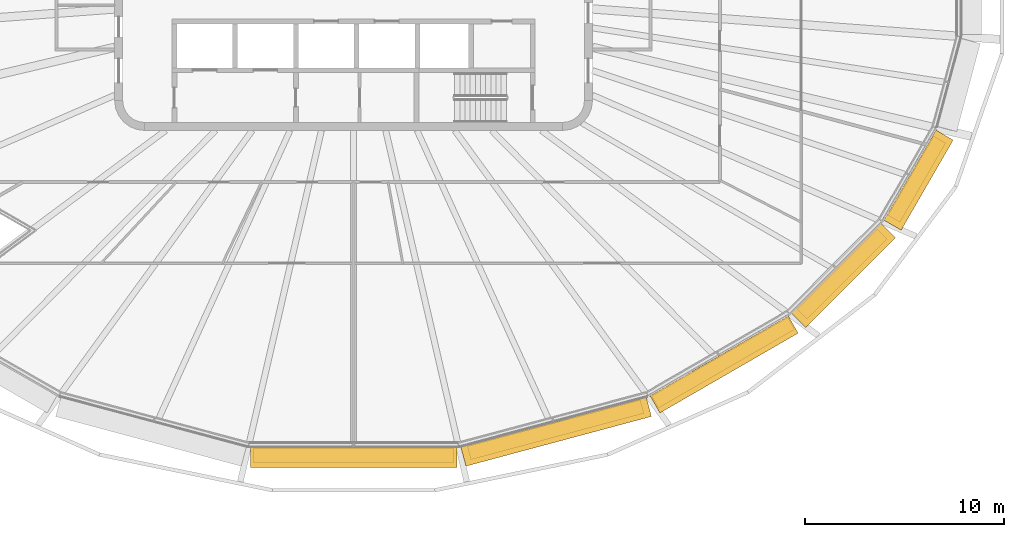
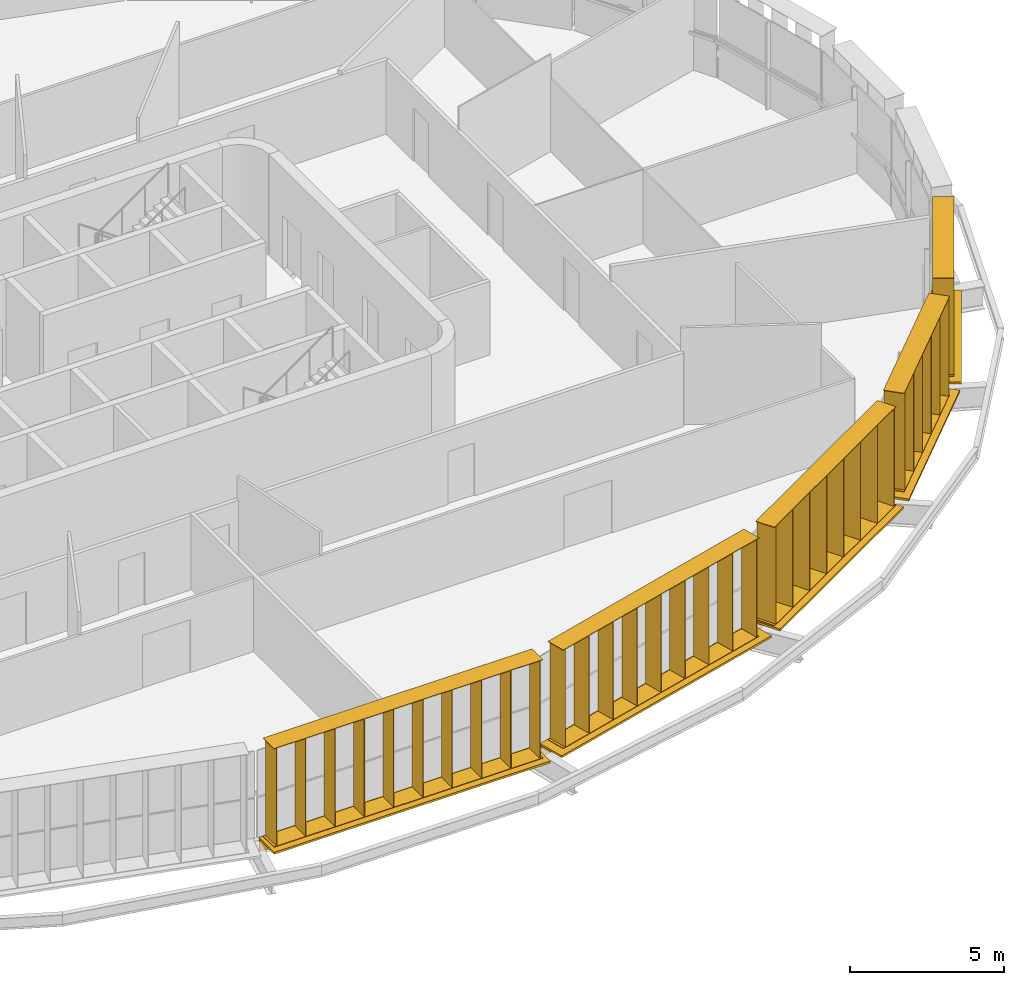
# One storey, part 18 of 20: 10 shading devices.
"""IFC4 building model written with IfcOpenShell, lengths in metres."""

from ifc_helpers import new_model, si_unit, direction, frame, origin, origin_2d, place, context, subcontext, project, spatial, rectangle, extrude, material, type_object, element, save


model = new_model("IFC4")

# Units and contexts
model_context = context("Model", 3, precision=1e-05, world=origin(), true_north=direction((0.0, 1.0)))
body_context = subcontext(model_context, "Body", "Model", "MODEL_VIEW")
ifc_project = project(units=[si_unit("LENGTHUNIT", "METRE"), si_unit("AREAUNIT", "SQUARE_METRE"), si_unit("VOLUMEUNIT", "CUBIC_METRE"), si_unit("PLANEANGLEUNIT", "RADIAN"), si_unit("MASSUNIT", "GRAM", prefix="KILO")], contexts=[model_context])

# Site, building, storey
site_placement = place(None, origin())
site = spatial("IfcSite", under=ifc_project, at=site_placement, CompositionType="ELEMENT")
building_placement = place(site_placement, origin())
building = spatial("IfcBuilding", under=site, at=building_placement, Name="Sahrelin Media Tower", CompositionType="ELEMENT")
storey_placement = place(building_placement, frame((0.0, 0.0, 225.60009765625)))
storey = spatial("IfcBuildingStorey", under=building, at=storey_placement, Name="L48", CompositionType="ELEMENT", Elevation=225.60009765625)

# Shading devices
ifc_material = material(Name="Champagne anodised aluminium 6063-T6", Category="aluminium")
shading_device_type_1 = type_object("IfcShadingDeviceType", Name="Fin cassette", PredefinedType="USERDEFINED", material=ifc_material)
placement_1 = place(storey_placement, frame((0.0, -22.90283203125, 0.0), z_axis=(0.0, 0.0, 1.0), x_axis=(-1.0, 0.0, 0.0)))
element("IfcShadingDevice", 1, at=placement_1, inside=storey, type_object=shading_device_type_1, Name="L48:FIN:L48-18", ObjectType="FIN", PredefinedType="USERDEFINED", context=body_context, shape_type="SweptSolid", body=[
    extrude(rectangle(XDim=10.10009765625, YDim=0.699951171875, at=origin_2d()), frame((0.0, 0.419921875, 0.0)), (0.0, 0.0, 1.0), 0.02001953125),
    extrude(rectangle(XDim=10.10009765625, YDim=0.699951171875, at=origin_2d()), frame((0.0, 0.419921875, 3.89990234375)), (0.0, 0.0, 1.0), 0.02001953125),
    extrude(rectangle(XDim=0.02001953125, YDim=0.699951171875, at=origin_2d()), frame((-4.949951171875, 0.419921875, 0.010009765625), z_axis=(0.0, 0.0, 1.0), x_axis=(1.0, 0.0, 0.0)), (0.0, 0.0, 1.0), 3.89990234375),
    extrude(rectangle(XDim=0.02001953125, YDim=0.699951171875, at=origin_2d()), frame((-3.85009765625, 0.419921875, 0.010009765625), z_axis=(0.0, 0.0, 1.0), x_axis=(1.0, 0.0, 0.0)), (0.0, 0.0, 1.0), 3.89990234375),
    extrude(rectangle(XDim=0.02001953125, YDim=0.699951171875, at=origin_2d()), frame((-2.75, 0.419921875, 0.010009765625), z_axis=(0.0, 0.0, 1.0), x_axis=(1.0, 0.0, 0.0)), (0.0, 0.0, 1.0), 3.89990234375),
    extrude(rectangle(XDim=0.02001953125, YDim=0.699951171875, at=origin_2d()), frame((-1.64990234375, 0.419921875, 0.010009765625), z_axis=(0.0, 0.0, 1.0), x_axis=(1.0, 0.0, 0.0)), (0.0, 0.0, 1.0), 3.89990234375),
    extrude(rectangle(XDim=0.02001953125, YDim=0.699951171875, at=origin_2d()), frame((-0.550048828125, 0.419921875, 0.010009765625), z_axis=(0.0, 0.0, 1.0), x_axis=(1.0, 0.0, 0.0)), (0.0, 0.0, 1.0), 3.89990234375),
    extrude(rectangle(XDim=0.02001953125, YDim=0.699951171875, at=origin_2d()), frame((0.550048828125, 0.419921875, 0.010009765625), z_axis=(0.0, 0.0, 1.0), x_axis=(1.0, 0.0, 0.0)), (0.0, 0.0, 1.0), 3.89990234375),
    extrude(rectangle(XDim=0.02001953125, YDim=0.699951171875, at=origin_2d()), frame((1.64990234375, 0.419921875, 0.010009765625), z_axis=(0.0, 0.0, 1.0), x_axis=(1.0, 0.0, 0.0)), (0.0, 0.0, 1.0), 3.89990234375),
    extrude(rectangle(XDim=0.02001953125, YDim=0.699951171875, at=origin_2d()), frame((2.75, 0.419921875, 0.010009765625), z_axis=(0.0, 0.0, 1.0), x_axis=(1.0, 0.0, 0.0)), (0.0, 0.0, 1.0), 3.89990234375),
    extrude(rectangle(XDim=0.02001953125, YDim=0.699951171875, at=origin_2d()), frame((3.85009765625, 0.419921875, 0.010009765625), z_axis=(0.0, 0.0, 1.0), x_axis=(1.0, 0.0, 0.0)), (0.0, 0.0, 1.0), 3.89990234375),
    extrude(rectangle(XDim=0.02001953125, YDim=0.699951171875, at=origin_2d()), frame((4.949951171875, 0.419921875, 0.010009765625), z_axis=(0.0, 0.0, 1.0), x_axis=(1.0, 0.0, 0.0)), (0.0, 0.0, 1.0), 3.89990234375),
])
placement_2 = place(storey_placement, frame((10.039794921875, -21.628662109375, 0.0), z_axis=(0.0, 0.0, 1.0), x_axis=(-0.965928857556, -0.258807731996, 0.0)))
element("IfcShadingDevice", 2, at=placement_2, inside=storey, type_object=shading_device_type_1, Name="L48:FIN:L48-19", ObjectType="FIN", PredefinedType="USERDEFINED", context=body_context, shape_type="SweptSolid", body=[
    extrude(rectangle(XDim=9.0, YDim=0.699951171875, at=origin_2d()), frame((0.0, 0.419921875, 0.0)), (0.0, 0.0, 1.0), 0.02001953125),
    extrude(rectangle(XDim=9.0, YDim=0.699951171875, at=origin_2d()), frame((0.0, 0.419921875, 3.89990234375)), (0.0, 0.0, 1.0), 0.02001953125),
    extrude(rectangle(XDim=0.02001953125, YDim=0.699951171875, at=origin_2d()), frame((-4.39990234375, 0.419921875, 0.010009765625), z_axis=(0.0, 0.0, 1.0), x_axis=(1.0, 0.0, 0.0)), (0.0, 0.0, 1.0), 3.89990234375),
    extrude(rectangle(XDim=0.02001953125, YDim=0.699951171875, at=origin_2d()), frame((-3.300048828125, 0.419921875, 0.010009765625), z_axis=(0.0, 0.0, 1.0), x_axis=(1.0, 0.0, 0.0)), (0.0, 0.0, 1.0), 3.89990234375),
    extrude(rectangle(XDim=0.02001953125, YDim=0.699951171875, at=origin_2d()), frame((-2.199951171875, 0.419921875, 0.010009765625), z_axis=(0.0, 0.0, 1.0), x_axis=(1.0, 0.0, 0.0)), (0.0, 0.0, 1.0), 3.89990234375),
    extrude(rectangle(XDim=0.02001953125, YDim=0.699951171875, at=origin_2d()), frame((-1.10009765625, 0.419921875, 0.010009765625), z_axis=(0.0, 0.0, 1.0), x_axis=(1.0, 0.0, 0.0)), (0.0, 0.0, 1.0), 3.89990234375),
    extrude(rectangle(XDim=0.02001953125, YDim=0.699951171875, at=origin_2d()), frame((0.0, 0.419921875, 0.010009765625), z_axis=(0.0, 0.0, 1.0), x_axis=(1.0, 0.0, 0.0)), (0.0, 0.0, 1.0), 3.89990234375),
    extrude(rectangle(XDim=0.02001953125, YDim=0.699951171875, at=origin_2d()), frame((1.10009765625, 0.419921875, 0.010009765625), z_axis=(0.0, 0.0, 1.0), x_axis=(1.0, 0.0, 0.0)), (0.0, 0.0, 1.0), 3.89990234375),
    extrude(rectangle(XDim=0.02001953125, YDim=0.699951171875, at=origin_2d()), frame((2.199951171875, 0.419921875, 0.010009765625), z_axis=(0.0, 0.0, 1.0), x_axis=(1.0, 0.0, 0.0)), (0.0, 0.0, 1.0), 3.89990234375),
    extrude(rectangle(XDim=0.02001953125, YDim=0.699951171875, at=origin_2d()), frame((3.300048828125, 0.419921875, 0.010009765625), z_axis=(0.0, 0.0, 1.0), x_axis=(1.0, 0.0, 0.0)), (0.0, 0.0, 1.0), 3.89990234375),
    extrude(rectangle(XDim=0.02001953125, YDim=0.699951171875, at=origin_2d()), frame((4.39990234375, 0.419921875, 0.010009765625), z_axis=(0.0, 0.0, 1.0), x_axis=(1.0, 0.0, 0.0)), (0.0, 0.0, 1.0), 3.89990234375),
])
placement_3 = place(storey_placement, frame((18.352294921875, -18.30078125, 0.0), z_axis=(0.0, 0.0, 1.0), x_axis=(-0.866019052629, -0.500011000363, 0.0)))
element("IfcShadingDevice", 3, at=placement_3, inside=storey, type_object=shading_device_type_1, Name="L48:FIN:L48-20", ObjectType="FIN", PredefinedType="USERDEFINED", context=body_context, shape_type="SweptSolid", body=[
    extrude(rectangle(XDim=7.89990234375, YDim=0.699951171875, at=origin_2d()), frame((0.0, 0.419921875, 0.0)), (0.0, 0.0, 1.0), 0.02001953125),
    extrude(rectangle(XDim=7.89990234375, YDim=0.699951171875, at=origin_2d()), frame((0.0, 0.419921875, 3.89990234375)), (0.0, 0.0, 1.0), 0.02001953125),
    extrude(rectangle(XDim=0.02001953125, YDim=0.699951171875, at=origin_2d()), frame((-3.85009765625, 0.419921875, 0.010009765625), z_axis=(0.0, 0.0, 1.0), x_axis=(1.0, 0.0, 0.0)), (0.0, 0.0, 1.0), 3.89990234375),
    extrude(rectangle(XDim=0.02001953125, YDim=0.699951171875, at=origin_2d()), frame((-2.75, 0.419921875, 0.010009765625), z_axis=(0.0, 0.0, 1.0), x_axis=(1.0, 0.0, 0.0)), (0.0, 0.0, 1.0), 3.89990234375),
    extrude(rectangle(XDim=0.02001953125, YDim=0.699951171875, at=origin_2d()), frame((-1.64990234375, 0.419921875, 0.010009765625), z_axis=(0.0, 0.0, 1.0), x_axis=(1.0, 0.0, 0.0)), (0.0, 0.0, 1.0), 3.89990234375),
    extrude(rectangle(XDim=0.02001953125, YDim=0.699951171875, at=origin_2d()), frame((-0.550048828125, 0.419921875, 0.010009765625), z_axis=(0.0, 0.0, 1.0), x_axis=(1.0, 0.0, 0.0)), (0.0, 0.0, 1.0), 3.89990234375),
    extrude(rectangle(XDim=0.02001953125, YDim=0.699951171875, at=origin_2d()), frame((0.550048828125, 0.419921875, 0.010009765625), z_axis=(0.0, 0.0, 1.0), x_axis=(1.0, 0.0, 0.0)), (0.0, 0.0, 1.0), 3.89990234375),
    extrude(rectangle(XDim=0.02001953125, YDim=0.699951171875, at=origin_2d()), frame((1.64990234375, 0.419921875, 0.010009765625), z_axis=(0.0, 0.0, 1.0), x_axis=(1.0, 0.0, 0.0)), (0.0, 0.0, 1.0), 3.89990234375),
    extrude(rectangle(XDim=0.02001953125, YDim=0.699951171875, at=origin_2d()), frame((2.75, 0.419921875, 0.010009765625), z_axis=(0.0, 0.0, 1.0), x_axis=(1.0, 0.0, 0.0)), (0.0, 0.0, 1.0), 3.89990234375),
    extrude(rectangle(XDim=0.02001953125, YDim=0.699951171875, at=origin_2d()), frame((3.85009765625, 0.419921875, 0.010009765625), z_axis=(0.0, 0.0, 1.0), x_axis=(1.0, 0.0, 0.0)), (0.0, 0.0, 1.0), 3.89990234375),
])
placement_4 = place(storey_placement, frame((24.240478515625, -13.916015625, 0.0), z_axis=(0.0, 0.0, 1.0), x_axis=(-0.707106781187, -0.707106781187, 0.0)))
element("IfcShadingDevice", 4, at=placement_4, inside=storey, type_object=shading_device_type_1, Name="L48:FIN:L48-21", ObjectType="FIN", PredefinedType="USERDEFINED", context=body_context, shape_type="SweptSolid", body=[
    extrude(rectangle(XDim=5.699951171875, YDim=0.699951171875, at=origin_2d()), frame((0.0, 0.419921875, 0.0)), (0.0, 0.0, 1.0), 0.02001953125),
    extrude(rectangle(XDim=5.699951171875, YDim=0.699951171875, at=origin_2d()), frame((0.0, 0.419921875, 3.89990234375)), (0.0, 0.0, 1.0), 0.02001953125),
    extrude(rectangle(XDim=0.02001953125, YDim=0.699951171875, at=origin_2d()), frame((-2.75, 0.419921875, 0.010009765625), z_axis=(0.0, 0.0, 1.0), x_axis=(1.0, 0.0, 0.0)), (0.0, 0.0, 1.0), 3.89990234375),
    extrude(rectangle(XDim=0.02001953125, YDim=0.699951171875, at=origin_2d()), frame((-1.64990234375, 0.419921875, 0.010009765625), z_axis=(0.0, 0.0, 1.0), x_axis=(1.0, 0.0, 0.0)), (0.0, 0.0, 1.0), 3.89990234375),
    extrude(rectangle(XDim=0.02001953125, YDim=0.699951171875, at=origin_2d()), frame((-0.550048828125, 0.419921875, 0.010009765625), z_axis=(0.0, 0.0, 1.0), x_axis=(1.0, 0.0, 0.0)), (0.0, 0.0, 1.0), 3.89990234375),
    extrude(rectangle(XDim=0.02001953125, YDim=0.699951171875, at=origin_2d()), frame((0.550048828125, 0.419921875, 0.010009765625), z_axis=(0.0, 0.0, 1.0), x_axis=(1.0, 0.0, 0.0)), (0.0, 0.0, 1.0), 3.89990234375),
    extrude(rectangle(XDim=0.02001953125, YDim=0.699951171875, at=origin_2d()), frame((1.64990234375, 0.419921875, 0.010009765625), z_axis=(0.0, 0.0, 1.0), x_axis=(1.0, 0.0, 0.0)), (0.0, 0.0, 1.0), 3.89990234375),
    extrude(rectangle(XDim=0.02001953125, YDim=0.699951171875, at=origin_2d()), frame((2.75, 0.419921875, 0.010009765625), z_axis=(0.0, 0.0, 1.0), x_axis=(1.0, 0.0, 0.0)), (0.0, 0.0, 1.0), 3.89990234375),
])
placement_5 = place(storey_placement, frame((27.927734375, -9.235595703125, 0.0), z_axis=(0.0, 0.0, 1.0), x_axis=(-0.500011000363, -0.866019052629, 0.0)))
element("IfcShadingDevice", 5, at=placement_5, inside=storey, type_object=shading_device_type_1, Name="L48:FIN:L48-22", ObjectType="FIN", PredefinedType="USERDEFINED", context=body_context, shape_type="SweptSolid", body=[
    extrude(rectangle(XDim=4.60009765625, YDim=0.699951171875, at=origin_2d()), frame((0.0, 0.419921875, 0.0)), (0.0, 0.0, 1.0), 0.02001953125),
    extrude(rectangle(XDim=4.60009765625, YDim=0.699951171875, at=origin_2d()), frame((0.0, 0.419921875, 3.89990234375)), (0.0, 0.0, 1.0), 0.02001953125),
    extrude(rectangle(XDim=0.02001953125, YDim=0.699951171875, at=origin_2d()), frame((-2.199951171875, 0.419921875, 0.010009765625), z_axis=(0.0, 0.0, 1.0), x_axis=(1.0, 0.0, 0.0)), (0.0, 0.0, 1.0), 3.89990234375),
    extrude(rectangle(XDim=0.02001953125, YDim=0.699951171875, at=origin_2d()), frame((-1.10009765625, 0.419921875, 0.010009765625), z_axis=(0.0, 0.0, 1.0), x_axis=(1.0, 0.0, 0.0)), (0.0, 0.0, 1.0), 3.89990234375),
    extrude(rectangle(XDim=0.02001953125, YDim=0.699951171875, at=origin_2d()), frame((0.0, 0.419921875, 0.010009765625), z_axis=(0.0, 0.0, 1.0), x_axis=(1.0, 0.0, 0.0)), (0.0, 0.0, 1.0), 3.89990234375),
    extrude(rectangle(XDim=0.02001953125, YDim=0.699951171875, at=origin_2d()), frame((1.10009765625, 0.419921875, 0.010009765625), z_axis=(0.0, 0.0, 1.0), x_axis=(1.0, 0.0, 0.0)), (0.0, 0.0, 1.0), 3.89990234375),
    extrude(rectangle(XDim=0.02001953125, YDim=0.699951171875, at=origin_2d()), frame((2.199951171875, 0.419921875, 0.010009765625), z_axis=(0.0, 0.0, 1.0), x_axis=(1.0, 0.0, 0.0)), (0.0, 0.0, 1.0), 3.89990234375),
])
shading_device_type_2 = type_object("IfcShadingDeviceType", Name="Sunshade band", PredefinedType="USERDEFINED", material=ifc_material)
element("IfcShadingDevice", 6, at=placement_1, inside=storey, type_object=shading_device_type_2, Name="L48:SUN:L48-18", ObjectType="SUNSHADE", PredefinedType="USERDEFINED", context=body_context, shape_type="SweptSolid", body=[
    extrude(rectangle(XDim=10.369873046875, YDim=0.050048828125, at=origin_2d()), frame((0.0, 0.044921875, -0.55126953125)), (0.0, 0.0, 1.0), 0.471435546875),
    extrude(rectangle(XDim=10.369873046875, YDim=1.0, at=origin_2d()), frame((0.0, 0.52001953125, -0.080078125)), (0.0, 0.0, 1.0), 0.080078125),
    extrude(rectangle(XDim=0.10009765625, YDim=0.074951171875, at=origin_2d()), frame((-5.0849609375, -0.017578125, -0.47021484375)), (0.0, 0.0, 1.0), 0.300048828125),
    extrude(rectangle(XDim=0.10009765625, YDim=0.074951171875, at=origin_2d()), frame((-3.389892578125, -0.017578125, -0.47021484375)), (0.0, 0.0, 1.0), 0.300048828125),
    extrude(rectangle(XDim=0.10009765625, YDim=0.074951171875, at=origin_2d()), frame((-1.695068359375, -0.017578125, -0.47021484375)), (0.0, 0.0, 1.0), 0.300048828125),
    extrude(rectangle(XDim=0.10009765625, YDim=0.074951171875, at=origin_2d()), frame((0.0, -0.017578125, -0.47021484375)), (0.0, 0.0, 1.0), 0.300048828125),
    extrude(rectangle(XDim=0.10009765625, YDim=0.074951171875, at=origin_2d()), frame((1.695068359375, -0.017578125, -0.47021484375)), (0.0, 0.0, 1.0), 0.300048828125),
    extrude(rectangle(XDim=0.10009765625, YDim=0.074951171875, at=origin_2d()), frame((3.389892578125, -0.017578125, -0.47021484375)), (0.0, 0.0, 1.0), 0.300048828125),
    extrude(rectangle(XDim=0.10009765625, YDim=0.074951171875, at=origin_2d()), frame((5.0849609375, -0.017578125, -0.47021484375)), (0.0, 0.0, 1.0), 0.300048828125),
])
element("IfcShadingDevice", 7, at=placement_2, inside=storey, type_object=shading_device_type_2, Name="L48:SUN:L48-19", ObjectType="SUNSHADE", PredefinedType="USERDEFINED", context=body_context, shape_type="SweptSolid", body=[
    extrude(rectangle(XDim=9.645263671875, YDim=0.050048828125, at=origin_2d()), frame((0.0, 0.044921875, -0.55126953125)), (0.0, 0.0, 1.0), 0.471435546875),
    extrude(rectangle(XDim=9.645263671875, YDim=1.0, at=origin_2d()), frame((0.0, 0.52001953125, -0.080078125)), (0.0, 0.0, 1.0), 0.080078125),
    extrude(rectangle(XDim=0.10009765625, YDim=0.074951171875, at=origin_2d()), frame((-4.72265625, -0.017578125, -0.47021484375)), (0.0, 0.0, 1.0), 0.300048828125),
    extrude(rectangle(XDim=0.10009765625, YDim=0.074951171875, at=origin_2d()), frame((-2.83349609375, -0.017578125, -0.47021484375)), (0.0, 0.0, 1.0), 0.300048828125),
    extrude(rectangle(XDim=0.10009765625, YDim=0.074951171875, at=origin_2d()), frame((-0.944580078125, -0.017578125, -0.47021484375)), (0.0, 0.0, 1.0), 0.300048828125),
    extrude(rectangle(XDim=0.10009765625, YDim=0.074951171875, at=origin_2d()), frame((0.944580078125, -0.017578125, -0.47021484375)), (0.0, 0.0, 1.0), 0.300048828125),
    extrude(rectangle(XDim=0.10009765625, YDim=0.074951171875, at=origin_2d()), frame((2.83349609375, -0.017578125, -0.47021484375)), (0.0, 0.0, 1.0), 0.300048828125),
    extrude(rectangle(XDim=0.10009765625, YDim=0.074951171875, at=origin_2d()), frame((4.72265625, -0.017578125, -0.47021484375)), (0.0, 0.0, 1.0), 0.300048828125),
])
element("IfcShadingDevice", 8, at=placement_3, inside=storey, type_object=shading_device_type_2, Name="L48:SUN:L48-20", ObjectType="SUNSHADE", PredefinedType="USERDEFINED", context=body_context, shape_type="SweptSolid", body=[
    extrude(rectangle(XDim=8.01611328125, YDim=0.050048828125, at=origin_2d()), frame((0.0, 0.044921875, -0.55126953125)), (0.0, 0.0, 1.0), 0.471435546875),
    extrude(rectangle(XDim=8.01611328125, YDim=1.0, at=origin_2d()), frame((0.0, 0.52001953125, -0.080078125)), (0.0, 0.0, 1.0), 0.080078125),
    extrude(rectangle(XDim=0.10009765625, YDim=0.074951171875, at=origin_2d()), frame((-3.907958984375, -0.017578125, -0.47021484375)), (0.0, 0.0, 1.0), 0.300048828125),
    extrude(rectangle(XDim=0.10009765625, YDim=0.074951171875, at=origin_2d()), frame((-2.3447265625, -0.017578125, -0.47021484375)), (0.0, 0.0, 1.0), 0.300048828125),
    extrude(rectangle(XDim=0.10009765625, YDim=0.074951171875, at=origin_2d()), frame((-0.781494140625, -0.017578125, -0.47021484375)), (0.0, 0.0, 1.0), 0.300048828125),
    extrude(rectangle(XDim=0.10009765625, YDim=0.074951171875, at=origin_2d()), frame((0.781494140625, -0.017578125, -0.47021484375)), (0.0, 0.0, 1.0), 0.300048828125),
    extrude(rectangle(XDim=0.10009765625, YDim=0.074951171875, at=origin_2d()), frame((2.3447265625, -0.017578125, -0.47021484375)), (0.0, 0.0, 1.0), 0.300048828125),
    extrude(rectangle(XDim=0.10009765625, YDim=0.074951171875, at=origin_2d()), frame((3.907958984375, -0.017578125, -0.47021484375)), (0.0, 0.0, 1.0), 0.300048828125),
])
element("IfcShadingDevice", 9, at=placement_4, inside=storey, type_object=shading_device_type_2, Name="L48:SUN:L48-21", ObjectType="SUNSHADE", PredefinedType="USERDEFINED", context=body_context, shape_type="SweptSolid", body=[
    extrude(rectangle(XDim=6.39208984375, YDim=0.050048828125, at=origin_2d()), frame((0.0, 0.044921875, -0.55126953125)), (0.0, 0.0, 1.0), 0.471435546875),
    extrude(rectangle(XDim=6.39208984375, YDim=1.0, at=origin_2d()), frame((0.0, 0.52001953125, -0.080078125)), (0.0, 0.0, 1.0), 0.080078125),
    extrude(rectangle(XDim=0.10009765625, YDim=0.074951171875, at=origin_2d()), frame((-3.09619140625, -0.017578125, -0.47021484375)), (0.0, 0.0, 1.0), 0.300048828125),
    extrude(rectangle(XDim=0.10009765625, YDim=0.074951171875, at=origin_2d()), frame((-1.548095703125, -0.017578125, -0.47021484375)), (0.0, 0.0, 1.0), 0.300048828125),
    extrude(rectangle(XDim=0.10009765625, YDim=0.074951171875, at=origin_2d()), frame((0.0, -0.017578125, -0.47021484375)), (0.0, 0.0, 1.0), 0.300048828125),
    extrude(rectangle(XDim=0.10009765625, YDim=0.074951171875, at=origin_2d()), frame((1.548095703125, -0.017578125, -0.47021484375)), (0.0, 0.0, 1.0), 0.300048828125),
    extrude(rectangle(XDim=0.10009765625, YDim=0.074951171875, at=origin_2d()), frame((3.09619140625, -0.017578125, -0.47021484375)), (0.0, 0.0, 1.0), 0.300048828125),
])
element("IfcShadingDevice", 10, at=placement_5, inside=storey, type_object=shading_device_type_2, Name="L48:SUN:L48-22", ObjectType="SUNSHADE", PredefinedType="USERDEFINED", context=body_context, shape_type="SweptSolid", body=[
    extrude(rectangle(XDim=5.226318359375, YDim=0.050048828125, at=origin_2d()), frame((0.0, 0.044921875, -0.55126953125)), (0.0, 0.0, 1.0), 0.471435546875),
    extrude(rectangle(XDim=5.226318359375, YDim=1.0, at=origin_2d()), frame((0.0, 0.52001953125, -0.080078125)), (0.0, 0.0, 1.0), 0.080078125),
    extrude(rectangle(XDim=0.10009765625, YDim=0.074951171875, at=origin_2d()), frame((-2.51318359375, -0.017578125, -0.47021484375)), (0.0, 0.0, 1.0), 0.300048828125),
    extrude(rectangle(XDim=0.10009765625, YDim=0.074951171875, at=origin_2d()), frame((-0.837646484375, -0.017578125, -0.47021484375)), (0.0, 0.0, 1.0), 0.300048828125),
    extrude(rectangle(XDim=0.10009765625, YDim=0.074951171875, at=origin_2d()), frame((0.837646484375, -0.017578125, -0.47021484375)), (0.0, 0.0, 1.0), 0.300048828125),
    extrude(rectangle(XDim=0.10009765625, YDim=0.074951171875, at=origin_2d()), frame((2.51318359375, -0.017578125, -0.47021484375)), (0.0, 0.0, 1.0), 0.300048828125),
])

save(model, "model.ifc")
